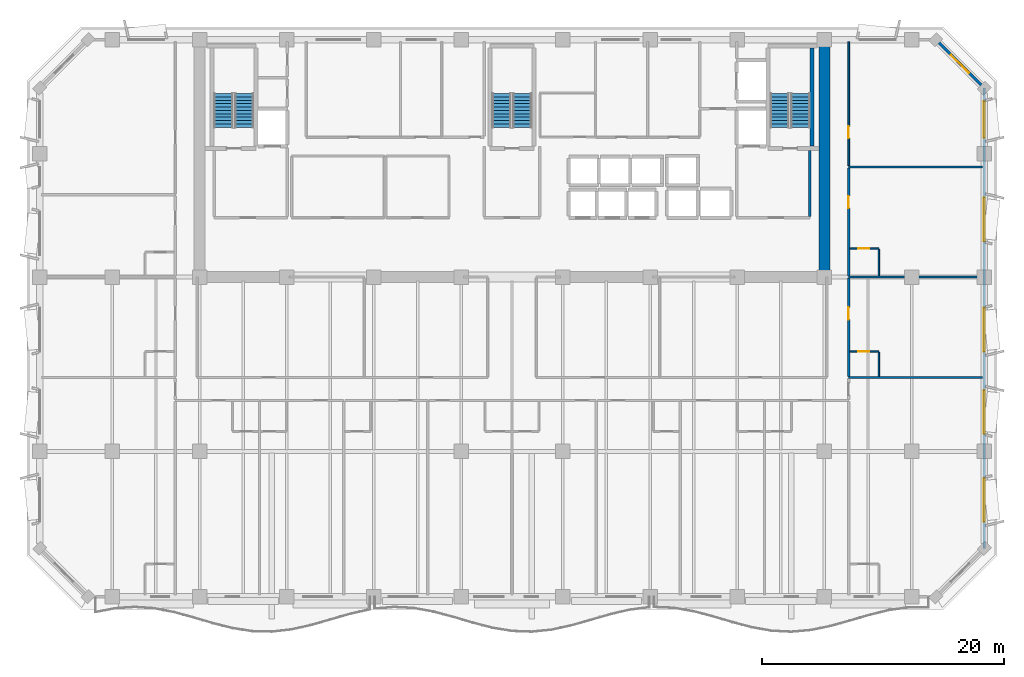
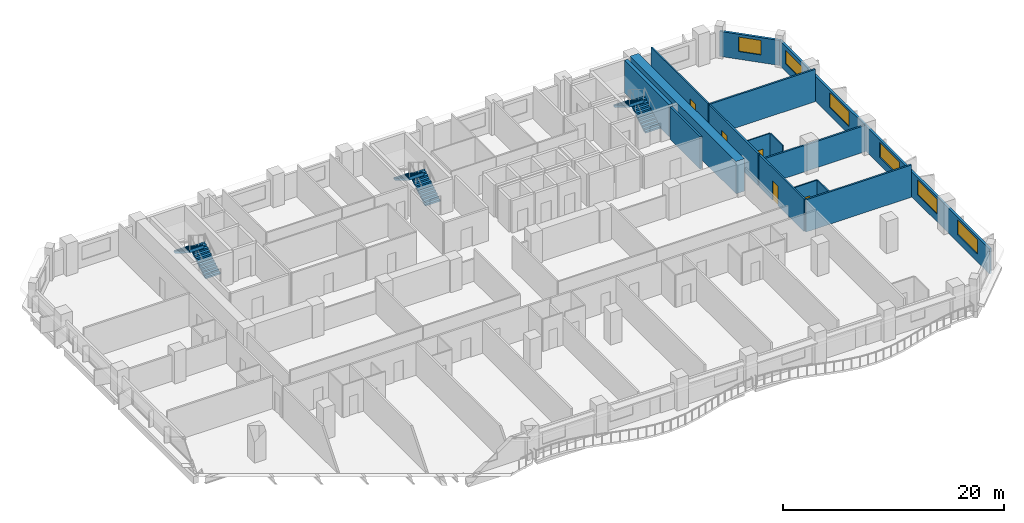
# One storey, part 9 of 14: 15 walls, 6 stair flights, 6 windows, 5 doors, 11 openings, 3 elements without a shape of their own.
"""IFC4 building model written with IfcOpenShell, lengths in metres."""

from ifc_helpers import new_model, si_unit, direction, frame, frame_2d, origin, place, context, subcontext, project, spatial, polyline, rectangle, outline, extrude, material, layer, layer_set, type_object, element, fill, aggregate, save


model = new_model("IFC4")

# Units and contexts
model_context = context("Model", 3, precision=1e-05, world=origin(), true_north=direction((0.0, 1.0)))
body_context = subcontext(model_context, "Body", "Model", "MODEL_VIEW")
ifc_project = project(units=[si_unit("LENGTHUNIT", "METRE"), si_unit("AREAUNIT", "SQUARE_METRE"), si_unit("VOLUMEUNIT", "CUBIC_METRE"), si_unit("PLANEANGLEUNIT", "RADIAN"), si_unit("MASSUNIT", "GRAM", prefix="KILO")], contexts=[model_context])

# Site, building, storey
site_placement = place(None, origin())
site = spatial("IfcSite", under=ifc_project, at=site_placement, CompositionType="ELEMENT")
building_placement = place(site_placement, origin())
building = spatial("IfcBuilding", under=site, at=building_placement, Name="Kaelvorn Grand Hotel", CompositionType="ELEMENT")
storey_placement = place(building_placement, frame((0.0, 0.0, 161.949951171875)))
storey = spatial("IfcBuildingStorey", under=building, at=storey_placement, Name="L39", CompositionType="ELEMENT", Elevation=161.949951171875)

# Wall
ifc_material_1 = material(Name="Concrete C60/75", Category="concrete")
ifc_layer_1 = layer(ifc_material_1, 0.89990234375)
ifc_layer_set_1 = layer_set([ifc_layer_1], Name="Concrete C60/75")
wall_type_1 = type_object("IfcWallType", Name="WL-CORE-900-C60", PredefinedType="SHEAR", material=ifc_layer_set_1)
wall_1_placement = place(storey_placement, frame((67.800048828125, 29.39990234375, 0.0), z_axis=(0.0, 0.0, 1.0), x_axis=(0.0, 1.0, 0.0)))
element("IfcWall", 1, at=wall_1_placement, inside=storey, type_object=wall_type_1, Name="L39 Rear-Core East Shear Wall", PredefinedType="SHEAR", context=body_context, shape_type="SweptSolid", body=[
    extrude(rectangle(XDim=19.2001953125, YDim=0.89990234375, at=frame_2d((9.60009765625, 0.0))), origin(), (0.0, 0.0, 1.0), 3.56005859375),
])

# Wall, openings, windows
ifc_material_2 = material(Name="Concrete C40/50", Category="concrete")
ifc_layer_2 = layer(ifc_material_2, 0.239990234375)
ifc_layer_set_2 = layer_set([ifc_layer_2], Name="Concrete C40/50")
wall_type_2 = type_object("IfcWallType", Name="WL-EXT-240-C40", PredefinedType="SOLIDWALL", material=ifc_layer_set_2)
wall_2_placement = place(storey_placement, frame((81.0, 7.0, 0.0), z_axis=(0.0, 0.0, 1.0), x_axis=(0.0, 1.0, 0.0)))
wall_2 = element("IfcWall", 2, at=wall_2_placement, inside=storey, type_object=wall_type_2, Name="L39 Exterior Architectural Concrete Wall 03", PredefinedType="SOLIDWALL", context=body_context, shape_type="SweptSolid", body=[
    extrude(rectangle(XDim=38.0, YDim=0.239990234375, at=frame_2d((19.0, 0.0))), origin(), (0.0, 0.0, 1.0), 2.760009765625),
])
opening_1_placement = place(wall_2_placement, frame((2.199951171875, 0.0, 0.85009765625)))
opening_1 = element("IfcOpeningElement", 3, at=opening_1_placement, cuts=wall_2, Name="Opening W3", PredefinedType="OPENING", context=body_context, shape_type="SweptSolid", body=[
    extrude(rectangle(XDim=3.60009765625, YDim=1.64990234375, at=frame_2d((1.800048828125, 0.824951171875))), frame((0.0, 0.1298828125, 0.0), z_axis=(0.0, -1.0, 0.0), x_axis=(1.0, 0.0, 0.0)), (0.0, 0.0, 1.0), 0.260009765625),
])
opening_2_placement = place(wall_2_placement, frame((9.449951171875, 0.0, 0.85009765625)))
opening_2 = element("IfcOpeningElement", 4, at=opening_2_placement, cuts=wall_2, Name="Opening W3", PredefinedType="OPENING", context=body_context, shape_type="SweptSolid", body=[
    extrude(rectangle(XDim=3.60009765625, YDim=1.64990234375, at=frame_2d((1.800048828125, 0.824951171875))), frame((0.0, 0.1298828125, 0.0), z_axis=(0.0, -1.0, 0.0), x_axis=(1.0, 0.0, 0.0)), (0.0, 0.0, 1.0), 0.260009765625),
])
opening_3_placement = place(wall_2_placement, frame((16.25, 0.0, 0.85009765625)))
opening_3 = element("IfcOpeningElement", 5, at=opening_3_placement, cuts=wall_2, Name="Opening W3", PredefinedType="OPENING", context=body_context, shape_type="SweptSolid", body=[
    extrude(rectangle(XDim=3.60009765625, YDim=1.64990234375, at=frame_2d((1.800048828125, 0.824951171875))), frame((0.0, 0.1298828125, 0.0), z_axis=(0.0, -1.0, 0.0), x_axis=(1.0, 0.0, 0.0)), (0.0, 0.0, 1.0), 0.260009765625),
])
opening_4_placement = place(wall_2_placement, frame((25.35009765625, 0.0, 0.85009765625)))
opening_4 = element("IfcOpeningElement", 6, at=opening_4_placement, cuts=wall_2, Name="Opening W3", PredefinedType="OPENING", context=body_context, shape_type="SweptSolid", body=[
    extrude(rectangle(XDim=3.60009765625, YDim=1.64990234375, at=frame_2d((1.800048828125, 0.824951171875))), frame((0.0, 0.1298828125, 0.0), z_axis=(0.0, -1.0, 0.0), x_axis=(1.0, 0.0, 0.0)), (0.0, 0.0, 1.0), 0.260009765625),
])
opening_5_placement = place(wall_2_placement, frame((33.9150390625, 0.0, 0.85009765625)))
opening_5 = element("IfcOpeningElement", 7, at=opening_5_placement, cuts=wall_2, Name="Opening W5", PredefinedType="OPENING", context=body_context, shape_type="SweptSolid", body=[
    extrude(rectangle(XDim=3.0, YDim=1.5, at=frame_2d((1.5, 0.75))), frame((0.0, 0.1298828125, 0.0), z_axis=(0.0, -1.0, 0.0), x_axis=(1.0, 0.0, 0.0)), (0.0, 0.0, 1.0), 0.260009765625),
])
ifc_material_3 = material(Name="Laminated Low-E Glass", Category="glass")
window_type_1 = type_object("IfcWindowType", Name="WIN-NTH-3000x1500", PartitioningType="SINGLE_PANEL", PredefinedType="WINDOW", material=ifc_material_3)
window_1_placement = place(opening_5_placement, origin())
window_1 = element("IfcWindow", 8, at=window_1_placement, inside=storey, type_object=window_type_1, Name="L39 E Wing Tilted-Frame Ribbon Window E05", OverallHeight=1.5, OverallWidth=3.0, PartitioningType="SINGLE_PANEL", PredefinedType="WINDOW", context=body_context, shape_type="SweptSolid", body=[
    extrude(rectangle(XDim=3.0, YDim=1.5, at=frame_2d((1.5, 0.75))), frame((0.0, 0.030029296875, 0.0), z_axis=(0.0, -1.0, 0.0), x_axis=(1.0, 0.0, 0.0)), (0.0, 0.0, 1.0), 0.06005859375),
])
fill(opening_5, window_1)
window_type_2 = type_object("IfcWindowType", Name="WIN-RIB-3600x1750", PartitioningType="SINGLE_PANEL", PredefinedType="WINDOW", material=ifc_material_3)
window_2_placement = place(opening_1_placement, origin())
window_2 = element("IfcWindow", 9, at=window_2_placement, inside=storey, type_object=window_type_2, Name="L39 E Wing Tilted-Frame Ribbon Window E01", OverallHeight=1.64990234375, OverallWidth=3.60009765625, PartitioningType="SINGLE_PANEL", PredefinedType="WINDOW", context=body_context, shape_type="SweptSolid", body=[
    extrude(rectangle(XDim=3.60009765625, YDim=1.64990234375, at=frame_2d((1.800048828125, 0.824951171875))), frame((0.0, 0.030029296875, 0.0), z_axis=(0.0, -1.0, 0.0), x_axis=(1.0, 0.0, 0.0)), (0.0, 0.0, 1.0), 0.06005859375),
])
fill(opening_1, window_2)
window_3_placement = place(opening_2_placement, origin())
window_3 = element("IfcWindow", 10, at=window_3_placement, inside=storey, type_object=window_type_2, Name="L39 E Wing Tilted-Frame Ribbon Window E02", OverallHeight=1.64990234375, OverallWidth=3.60009765625, PartitioningType="SINGLE_PANEL", PredefinedType="WINDOW", context=body_context, shape_type="SweptSolid", body=[
    extrude(rectangle(XDim=3.60009765625, YDim=1.64990234375, at=frame_2d((1.800048828125, 0.824951171875))), frame((0.0, 0.030029296875, 0.0), z_axis=(0.0, -1.0, 0.0), x_axis=(1.0, 0.0, 0.0)), (0.0, 0.0, 1.0), 0.06005859375),
])
fill(opening_2, window_3)
window_4_placement = place(opening_3_placement, origin())
window_4 = element("IfcWindow", 11, at=window_4_placement, inside=storey, type_object=window_type_2, Name="L39 E Wing Tilted-Frame Ribbon Window E03", OverallHeight=1.64990234375, OverallWidth=3.60009765625, PartitioningType="SINGLE_PANEL", PredefinedType="WINDOW", context=body_context, shape_type="SweptSolid", body=[
    extrude(rectangle(XDim=3.60009765625, YDim=1.64990234375, at=frame_2d((1.800048828125, 0.824951171875))), frame((0.0, 0.030029296875, 0.0), z_axis=(0.0, -1.0, 0.0), x_axis=(1.0, 0.0, 0.0)), (0.0, 0.0, 1.0), 0.06005859375),
])
fill(opening_3, window_4)
window_5_placement = place(opening_4_placement, origin())
window_5 = element("IfcWindow", 12, at=window_5_placement, inside=storey, type_object=window_type_2, Name="L39 E Wing Tilted-Frame Ribbon Window E04", OverallHeight=1.64990234375, OverallWidth=3.60009765625, PartitioningType="SINGLE_PANEL", PredefinedType="WINDOW", context=body_context, shape_type="SweptSolid", body=[
    extrude(rectangle(XDim=3.60009765625, YDim=1.64990234375, at=frame_2d((1.800048828125, 0.824951171875))), frame((0.0, 0.030029296875, 0.0), z_axis=(0.0, -1.0, 0.0), x_axis=(1.0, 0.0, 0.0)), (0.0, 0.0, 1.0), 0.06005859375),
])
fill(opening_4, window_5)

# Wall, opening, window
wall_3_placement = place(storey_placement, frame((81.0, 45.0, 0.0), z_axis=(0.0, 0.0, 1.0), x_axis=(-0.707106781187, 0.707106781187, 0.0)))
wall_3 = element("IfcWall", 13, at=wall_3_placement, inside=storey, type_object=wall_type_2, Name="L39 Exterior Architectural Concrete Wall 04", PredefinedType="SOLIDWALL", context=body_context, shape_type="SweptSolid", body=[
    extrude(rectangle(XDim=5.65673828125, YDim=0.239990234375, at=frame_2d((2.828369140625, 0.0))), origin(), (0.0, 0.0, 1.0), 2.760009765625),
])
opening_6_placement = place(wall_3_placement, frame((1.7783203125, 0.0, 0.85009765625)))
opening_6 = element("IfcOpeningElement", 14, at=opening_6_placement, cuts=wall_3, Name="Opening W7", PredefinedType="OPENING", context=body_context, shape_type="SweptSolid", body=[
    extrude(rectangle(XDim=2.10009765625, YDim=1.60009765625, at=frame_2d((1.050048828125, 0.800048828125))), frame((0.0, 0.1298828125, 0.0), z_axis=(0.0, -1.0, 0.0), x_axis=(1.0, 0.0, 0.0)), (0.0, 0.0, 1.0), 0.260009765625),
])
window_type_3 = type_object("IfcWindowType", Name="WIN-CHM-2100x1600", PartitioningType="SINGLE_PANEL", PredefinedType="WINDOW", material=ifc_material_3)
window_6_placement = place(opening_6_placement, origin())
window_6 = element("IfcWindow", 15, at=window_6_placement, inside=storey, type_object=window_type_3, Name="L39 Chamfered 45-Degree Corner Window NE", OverallHeight=1.60009765625, OverallWidth=2.10009765625, PartitioningType="SINGLE_PANEL", PredefinedType="WINDOW", context=body_context, shape_type="SweptSolid", body=[
    extrude(rectangle(XDim=2.10009765625, YDim=1.60009765625, at=frame_2d((1.050048828125, 0.800048828125))), frame((0.0, 0.030029296875, 0.0), z_axis=(0.0, -1.0, 0.0), x_axis=(1.0, 0.0, 0.0)), (0.0, 0.0, 1.0), 0.06005859375),
])
fill(opening_6, window_6)

# Wall, opening, door
ifc_material_4 = material(Name="Moisture-Resistant Tile & Stud Board")
ifc_layer_3 = layer(ifc_material_4, 0.125)
ifc_layer_set_3 = layer_set([ifc_layer_3], Name="Moisture-Resistant Tile & Stud Board")
wall_type_3 = type_object("IfcWallType", Name="WL-PART-125-WET", PredefinedType="PARTITIONING", material=ifc_layer_set_3)
wall_4_placement = place(storey_placement, frame((69.89501953125, 23.260009765625, 0.0), z_axis=(0.0, 0.0, 1.0), x_axis=(1.0, 0.0, 0.0)))
wall_4 = element("IfcWall", 16, at=wall_4_placement, inside=storey, type_object=wall_type_3, Name="L39 En-suite Bathroom L39-12 N Partition", PredefinedType="PARTITIONING", context=body_context, shape_type="SweptSolid", body=[
    extrude(rectangle(XDim=2.405029296875, YDim=0.125, at=frame_2d((1.20263671875, 0.0))), origin(), (0.0, 0.0, 1.0), 3.56005859375),
])
opening_7_placement = place(wall_4_placement, frame((0.705078125, 0.0, 0.0)))
opening_7 = element("IfcOpeningElement", 17, at=opening_7_placement, cuts=wall_4, Name="Opening DI4", PredefinedType="OPENING", context=body_context, shape_type="SweptSolid", body=[
    extrude(rectangle(XDim=0.89990234375, YDim=2.10009765625, at=frame_2d((0.449951171875, 1.050048828125))), frame((0.0, 0.072509765625, 0.0), z_axis=(0.0, -1.0, 0.0), x_axis=(1.0, 0.0, 0.0)), (0.0, 0.0, 1.0), 0.14501953125),
])
ifc_material_5 = material(Name="Timber Veneer Leaf", Category="wood")
door_type_1 = type_object("IfcDoorType", Name="DR-INT-BATH-900x2100", OperationType="NOTDEFINED", PredefinedType="DOOR", material=ifc_material_5)
door_1_placement = place(opening_7_placement, origin())
door_1 = element("IfcDoor", 18, at=door_1_placement, inside=storey, type_object=door_type_1, Name="L39 En-suite Bathroom L39-12 Door", OperationType="SINGLE_SWING_RIGHT", OverallHeight=2.10009765625, OverallWidth=0.89990234375, PredefinedType="DOOR", context=body_context, shape_type="SweptSolid", body=[
    extrude(rectangle(XDim=0.89990234375, YDim=2.10009765625, at=frame_2d((0.449951171875, 1.050048828125))), frame((0.0, 0.02490234375, 0.0), z_axis=(0.0, -1.0, 0.0), x_axis=(1.0, 0.0, 0.0)), (0.0, 0.0, 1.0), 0.050048828125),
])
fill(opening_7, door_1)

# Wall
wall_5_placement = place(storey_placement, frame((72.300048828125, 21.195068359375, 0.0), z_axis=(0.0, 0.0, 1.0), x_axis=(0.0, 1.0, 0.0)))
element("IfcWall", 19, at=wall_5_placement, inside=storey, type_object=wall_type_3, Name="L39 En-suite Bathroom L39-12 E Partition", PredefinedType="PARTITIONING", context=body_context, shape_type="SweptSolid", body=[
    extrude(rectangle(XDim=1.997314453125, YDim=0.125, at=frame_2d((0.99853515625, 0.0))), origin(), (0.0, 0.0, 1.0), 3.56005859375),
])

# Wall, opening, door
wall_6_placement = place(storey_placement, frame((69.89501953125, 31.77001953125, 0.0), z_axis=(0.0, 0.0, 1.0), x_axis=(1.0, 0.0, 0.0)))
wall_6 = element("IfcWall", 20, at=wall_6_placement, inside=storey, type_object=wall_type_3, Name="L39 En-suite Bathroom L39-14 N Partition", PredefinedType="PARTITIONING", context=body_context, shape_type="SweptSolid", body=[
    extrude(rectangle(XDim=2.405029296875, YDim=0.125, at=frame_2d((1.20263671875, 0.0))), origin(), (0.0, 0.0, 1.0), 3.56005859375),
])
opening_8_placement = place(wall_6_placement, frame((0.705078125, 0.0, 0.0)))
opening_8 = element("IfcOpeningElement", 21, at=opening_8_placement, cuts=wall_6, Name="Opening DI4", PredefinedType="OPENING", context=body_context, shape_type="SweptSolid", body=[
    extrude(rectangle(XDim=0.89990234375, YDim=2.10009765625, at=frame_2d((0.449951171875, 1.050048828125))), frame((0.0, 0.072509765625, 0.0), z_axis=(0.0, -1.0, 0.0), x_axis=(1.0, 0.0, 0.0)), (0.0, 0.0, 1.0), 0.14501953125),
])
door_2_placement = place(opening_8_placement, origin())
door_2 = element("IfcDoor", 22, at=door_2_placement, inside=storey, type_object=door_type_1, Name="L39 En-suite Bathroom L39-14 Door", OperationType="SINGLE_SWING_LEFT", OverallHeight=2.10009765625, OverallWidth=0.89990234375, PredefinedType="DOOR", context=body_context, shape_type="SweptSolid", body=[
    extrude(rectangle(XDim=0.89990234375, YDim=2.10009765625, at=frame_2d((0.449951171875, 1.050048828125))), frame((0.0, 0.02490234375, 0.0), z_axis=(0.0, -1.0, 0.0), x_axis=(1.0, 0.0, 0.0)), (0.0, 0.0, 1.0), 0.050048828125),
])
fill(opening_8, door_2)

# Wall
wall_7_placement = place(storey_placement, frame((72.300048828125, 29.4951171875, 0.0), z_axis=(0.0, 0.0, 1.0), x_axis=(0.0, 1.0, 0.0)))
element("IfcWall", 23, at=wall_7_placement, inside=storey, type_object=wall_type_3, Name="L39 En-suite Bathroom L39-14 E Partition", PredefinedType="PARTITIONING", context=body_context, shape_type="SweptSolid", body=[
    extrude(rectangle(XDim=2.207275390625, YDim=0.125, at=frame_2d((1.103515625, 0.0))), origin(), (0.0, 0.0, 1.0), 3.56005859375),
])

# Wall, opening, door
ifc_material_6 = material(Name="Acoustic Gypsum & Stud Partition")
ifc_layer_4 = layer(ifc_material_6, 0.14990234375)
ifc_layer_set_4 = layer_set([ifc_layer_4], Name="Acoustic Gypsum & Stud Partition")
wall_type_4 = type_object("IfcWallType", Name="WL-PART-150-EI60", PredefinedType="PARTITIONING", material=ifc_layer_set_4)
wall_8_placement = place(storey_placement, frame((69.800048828125, 38.594970703125, 0.0), z_axis=(0.0, 0.0, 1.0), x_axis=(0.0, 1.0, 0.0)))
wall_8 = element("IfcWall", 24, at=wall_8_placement, inside=storey, type_object=wall_type_4, Name="L39 North-East Diplomatic Living Room W Partition", PredefinedType="PARTITIONING", context=body_context, shape_type="SweptSolid", body=[
    extrude(rectangle(XDim=10.255126953125, YDim=0.14990234375, at=frame_2d((5.12744140625, 0.0))), origin(), (0.0, 0.0, 1.0), 3.56005859375),
])
opening_9_placement = place(wall_8_placement, frame((2.2548828125, 0.0, 0.0)))
opening_9 = element("IfcOpeningElement", 25, at=opening_9_placement, cuts=wall_8, Name="Opening DI3", PredefinedType="OPENING", context=body_context, shape_type="SweptSolid", body=[
    extrude(rectangle(XDim=1.0, YDim=2.14990234375, at=frame_2d((0.5, 1.074951171875))), frame((0.0, 0.0849609375, 0.0), z_axis=(0.0, -1.0, 0.0), x_axis=(1.0, 0.0, 0.0)), (0.0, 0.0, 1.0), 0.169921875),
])
ifc_material_7 = material(Name="Timber Veneer Fire Leaf", Category="wood")
door_type_2 = type_object("IfcDoorType", Name="DR-INT-GUEST-1000x2150", OperationType="NOTDEFINED", PredefinedType="DOOR", material=ifc_material_7)
door_3_placement = place(opening_9_placement, origin())
door_3 = element("IfcDoor", 26, at=door_3_placement, inside=storey, type_object=door_type_2, Name="L39 North-East Diplomatic Living Room Door", OperationType="SINGLE_SWING_RIGHT", OverallHeight=2.14990234375, OverallWidth=1.0, PredefinedType="DOOR", context=body_context, shape_type="SweptSolid", body=[
    extrude(rectangle(XDim=1.0, YDim=2.14990234375, at=frame_2d((0.5, 1.074951171875))), frame((0.0, 0.02490234375, 0.0), z_axis=(0.0, -1.0, 0.0), x_axis=(1.0, 0.0, 0.0)), (0.0, 0.0, 1.0), 0.050048828125),
])
fill(opening_9, door_3)

# Walls
ifc_layer_5 = layer(ifc_material_6, 0.179931640625)
ifc_layer_set_5 = layer_set([ifc_layer_5], Name="Acoustic Gypsum & Stud Partition")
wall_type_5 = type_object("IfcWallType", Name="WL-PART-180-EI60", PredefinedType="PARTITIONING", material=ifc_layer_set_5)
wall_9_placement = place(storey_placement, frame((69.800048828125, 21.10009765625, 0.0), z_axis=(0.0, 0.0, 1.0), x_axis=(1.0, 0.0, 0.0)))
element("IfcWall", 27, at=wall_9_placement, inside=storey, type_object=wall_type_5, Name="L39 South-East Chamfer Suite L39-11 N Partition", PredefinedType="PARTITIONING", context=body_context, shape_type="SweptSolid", body=[
    extrude(rectangle(XDim=11.050048828125, YDim=0.179931640625, at=frame_2d((5.52490234375, 0.0))), origin(), (0.0, 0.0, 1.0), 3.56005859375),
])
wall_10_placement = place(storey_placement, frame((69.800048828125, 29.39990234375, 0.0), z_axis=(0.0, 0.0, 1.0), x_axis=(1.0, 0.0, 0.0)))
element("IfcWall", 28, at=wall_10_placement, inside=storey, type_object=wall_type_5, Name="L39 East End Panoramic Suite L39-12 N Partition", PredefinedType="PARTITIONING", context=body_context, shape_type="SweptSolid", body=[
    extrude(rectangle(XDim=11.050048828125, YDim=0.179931640625, at=frame_2d((5.52490234375, 0.0))), origin(), (0.0, 0.0, 1.0), 2.91015625),
])

# Wall, opening, door
wall_11_placement = place(storey_placement, frame((69.800048828125, 21.195068359375, 0.0), z_axis=(0.0, 0.0, 1.0), x_axis=(0.0, 1.0, 0.0)))
wall_11 = element("IfcWall", 29, at=wall_11_placement, inside=storey, type_object=wall_type_5, Name="L39 East End Panoramic Suite L39-12 W Partition", PredefinedType="PARTITIONING", context=body_context, shape_type="SweptSolid", body=[
    extrude(rectangle(XDim=8.10986328125, YDim=0.179931640625, at=frame_2d((4.054931640625, 0.0))), origin(), (0.0, 0.0, 1.0), 3.56005859375),
])
opening_10_placement = place(wall_11_placement, frame((4.695068359375, 0.0, 0.0)))
opening_10 = element("IfcOpeningElement", 30, at=opening_10_placement, cuts=wall_11, Name="Opening DI3", PredefinedType="OPENING", context=body_context, shape_type="SweptSolid", body=[
    extrude(rectangle(XDim=1.0, YDim=2.14990234375, at=frame_2d((0.5, 1.074951171875))), frame((0.0, 0.10009765625, 0.0), z_axis=(0.0, -1.0, 0.0), x_axis=(1.0, 0.0, 0.0)), (0.0, 0.0, 1.0), 0.199951171875),
])
door_4_placement = place(opening_10_placement, origin())
door_4 = element("IfcDoor", 31, at=door_4_placement, inside=storey, type_object=door_type_2, Name="L39 East End Panoramic Suite L39-12 Door", OperationType="SINGLE_SWING_LEFT", OverallHeight=2.14990234375, OverallWidth=1.0, PredefinedType="DOOR", context=body_context, shape_type="SweptSolid", body=[
    extrude(rectangle(XDim=1.0, YDim=2.14990234375, at=frame_2d((0.5, 1.074951171875))), frame((0.0, 0.02490234375, 0.0), z_axis=(0.0, -1.0, 0.0), x_axis=(1.0, 0.0, 0.0)), (0.0, 0.0, 1.0), 0.050048828125),
])
fill(opening_10, door_4)

# Wall
wall_12_placement = place(storey_placement, frame((69.800048828125, 38.5, 0.0), z_axis=(0.0, 0.0, 1.0), x_axis=(1.0, 0.0, 0.0)))
element("IfcWall", 32, at=wall_12_placement, inside=storey, type_object=wall_type_5, Name="L39 North-East Wing Suite L39-14 N Partition", PredefinedType="PARTITIONING", context=body_context, shape_type="SweptSolid", body=[
    extrude(rectangle(XDim=11.050048828125, YDim=0.179931640625, at=frame_2d((5.52490234375, 0.0))), origin(), (0.0, 0.0, 1.0), 3.56005859375),
])

# Wall, opening, door
wall_13_placement = place(storey_placement, frame((69.800048828125, 29.4951171875, 0.0), z_axis=(0.0, 0.0, 1.0), x_axis=(0.0, 1.0, 0.0)))
wall_13 = element("IfcWall", 33, at=wall_13_placement, inside=storey, type_object=wall_type_5, Name="L39 North-East Wing Suite L39-14 W Partition", PredefinedType="PARTITIONING", context=body_context, shape_type="SweptSolid", body=[
    extrude(rectangle(XDim=8.909912109375, YDim=0.179931640625, at=frame_2d((4.455078125, 0.0))), origin(), (0.0, 0.0, 1.0), 3.56005859375),
])
opening_11_placement = place(wall_13_placement, frame((5.590087890625, 0.0, 0.0)))
opening_11 = element("IfcOpeningElement", 34, at=opening_11_placement, cuts=wall_13, Name="Opening DI3", PredefinedType="OPENING", context=body_context, shape_type="SweptSolid", body=[
    extrude(rectangle(XDim=1.0, YDim=2.14990234375, at=frame_2d((0.5, 1.074951171875))), frame((0.0, 0.10009765625, 0.0), z_axis=(0.0, -1.0, 0.0), x_axis=(1.0, 0.0, 0.0)), (0.0, 0.0, 1.0), 0.199951171875),
])
door_5_placement = place(opening_11_placement, origin())
door_5 = element("IfcDoor", 35, at=door_5_placement, inside=storey, type_object=door_type_2, Name="L39 North-East Wing Suite L39-14 Door", OperationType="SINGLE_SWING_RIGHT", OverallHeight=2.14990234375, OverallWidth=1.0, PredefinedType="DOOR", context=body_context, shape_type="SweptSolid", body=[
    extrude(rectangle(XDim=1.0, YDim=2.14990234375, at=frame_2d((0.5, 1.074951171875))), frame((0.0, 0.02490234375, 0.0), z_axis=(0.0, -1.0, 0.0), x_axis=(1.0, 0.0, 0.0)), (0.0, 0.0, 1.0), 0.050048828125),
])
fill(opening_11, door_5)

# Walls
ifc_layer_6 = layer(ifc_material_2, 0.219970703125)
ifc_layer_set_6 = layer_set([ifc_layer_6], Name="Concrete C40/50")
wall_type_6 = type_object("IfcWallType", Name="WL-PART-220-EI120", PredefinedType="PARTITIONING", material=ifc_layer_set_6)
wall_14_placement = place(storey_placement, frame((66.60009765625, 34.4150390625, 0.0), z_axis=(0.0, 0.0, 1.0), x_axis=(0.0, 1.0, 0.0)))
element("IfcWall", 36, at=wall_14_placement, inside=storey, type_object=wall_type_6, Name="L39 Firefighting Lift Lobby 2 E Partition", PredefinedType="PARTITIONING", context=body_context, shape_type="SweptSolid", body=[
    extrude(rectangle(XDim=5.429931640625, YDim=0.219970703125, at=frame_2d((2.71484375, 0.0))), origin(), (0.0, 0.0, 1.0), 3.56005859375),
])
ifc_layer_7 = layer(ifc_material_1, 0.35009765625)
ifc_layer_set_7 = layer_set([ifc_layer_7], Name="Concrete C60/75")
wall_type_7 = type_object("IfcWallType", Name="WL-SHAFT-350-C60", PredefinedType="SHEAR", material=ifc_layer_set_7)
wall_15_placement = place(storey_placement, frame((66.77490234375, 40.205078125, 0.0), z_axis=(0.0, 0.0, 1.0), x_axis=(0.0, 1.0, 0.0)))
element("IfcWall", 37, at=wall_15_placement, inside=storey, type_object=wall_type_7, Name="L39 ST3 Stair Shaft East Wall", PredefinedType="SHEAR", context=body_context, shape_type="SweptSolid", body=[
    extrude(rectangle(XDim=8.08984375, YDim=0.35009765625, at=frame_2d((4.044921875, 0.0))), origin(), (0.0, 0.0, 1.0), 3.56005859375),
])

# Stair, stair flights
stair_type = type_object("IfcStairType", Name="STR-DOG-1560-R08", PredefinedType="HALF_TURN_STAIR", material=ifc_material_2)
stair_1_placement = place(storey_placement, origin())
stair_1 = element("IfcStair", 38, at=stair_1_placement, inside=storey, type_object=stair_type, Name="L39 West Core Exit Stair ST1", PredefinedType="HALF_TURN_STAIR")
stair_flight_type = type_object("IfcStairFlightType", Name="FLG-DOG-1560-R08", PredefinedType="STRAIGHT", material=ifc_material_2)
stair_flight_1_placement = place(storey_placement, frame((19.89990234375, 41.760009765625, 0.0), z_axis=(0.0, 0.0, 1.0), x_axis=(0.0, 1.0, 0.0)))
stair_flight_1 = element("IfcStairFlight", 39, at=stair_flight_1_placement, type_object=stair_flight_type, Name="ST1 flight 1", NumberOfRisers=11, NumberOfTreads=10, PredefinedType="STRAIGHT", RiserHeight=0.172727273, TreadLength=0.28, context=body_context, shape_type="SweptSolid", body=[
    extrude(outline(polyline([(-0.0048828125, 0.0), (-0.0048828125, 0.0400390625), (0.0, 0.172607421875), (0.280029296875, 0.172607421875), (0.280029296875, 0.345458984375), (0.56005859375, 0.345458984375), (0.56005859375, 0.51806640625), (0.840087890625, 0.51806640625), (0.840087890625, 0.69091796875), (1.1201171875, 0.69091796875), (1.1201171875, 0.863525390625), (1.39990234375, 0.863525390625), (1.39990234375, 1.036376953125), (1.679931640625, 1.036376953125), (1.679931640625, 1.208984375), (1.9599609375, 1.208984375), (1.9599609375, 1.3818359375), (2.239990234375, 1.3818359375), (2.239990234375, 1.554443359375), (2.52001953125, 1.554443359375), (2.52001953125, 1.727294921875), (2.800048828125, 1.727294921875), (2.800048828125, 1.89990234375), (2.804931640625, 1.89990234375), (2.804931640625, 1.551025390625), (0.285400390625, 0.0), (-0.0048828125, 0.0)])), frame((0.0, 0.780029296875, 0.0), z_axis=(0.0, -1.0, 0.0), x_axis=(1.0, 0.0, 0.0)), (0.0, 0.0, 1.0), 1.56005859375),
])
stair_flight_2_placement = place(storey_placement, frame((18.179931640625, 44.56005859375, 1.900146484375), z_axis=(0.0, 0.0, 1.0), x_axis=(0.0, -1.0, 0.0)))
stair_flight_2 = element("IfcStairFlight", 40, at=stair_flight_2_placement, type_object=stair_flight_type, Name="ST1 flight 2", NumberOfRisers=11, NumberOfTreads=10, PredefinedType="STRAIGHT", RiserHeight=0.172727273, TreadLength=0.28, context=body_context, shape_type="SweptSolid", body=[
    extrude(outline(polyline([(-0.0048828125, 0.0), (-0.0048828125, 0.0400390625), (0.0, 0.172607421875), (0.280029296875, 0.172607421875), (0.280029296875, 0.345458984375), (0.56005859375, 0.345458984375), (0.56005859375, 0.51806640625), (0.840087890625, 0.51806640625), (0.840087890625, 0.69091796875), (1.1201171875, 0.69091796875), (1.1201171875, 0.863525390625), (1.39990234375, 0.863525390625), (1.39990234375, 1.036376953125), (1.679931640625, 1.036376953125), (1.679931640625, 1.208984375), (1.9599609375, 1.208984375), (1.9599609375, 1.3818359375), (2.239990234375, 1.3818359375), (2.239990234375, 1.554443359375), (2.52001953125, 1.554443359375), (2.52001953125, 1.727294921875), (2.800048828125, 1.727294921875), (2.800048828125, 1.89990234375), (2.804931640625, 1.89990234375), (2.804931640625, 1.551025390625), (0.285400390625, 0.0), (-0.0048828125, 0.0)])), frame((0.0, 0.780029296875, 0.0), z_axis=(0.0, -1.0, 0.0), x_axis=(1.0, 0.0, 0.0)), (0.0, 0.0, 1.0), 1.56005859375),
])
aggregate(stair_1, [stair_flight_1, stair_flight_2])

stair_2_placement = place(storey_placement, origin())
stair_2 = element("IfcStair", 41, at=stair_2_placement, inside=storey, type_object=stair_type, Name="L39 Central Core Exit Stair ST2", PredefinedType="HALF_TURN_STAIR")
stair_flight_3_placement = place(storey_placement, frame((42.860107421875, 41.760009765625, 0.0), z_axis=(0.0, 0.0, 1.0), x_axis=(0.0, 1.0, 0.0)))
stair_flight_3 = element("IfcStairFlight", 42, at=stair_flight_3_placement, type_object=stair_flight_type, Name="ST2 flight 1", NumberOfRisers=11, NumberOfTreads=10, PredefinedType="STRAIGHT", RiserHeight=0.172727273, TreadLength=0.28, context=body_context, shape_type="SweptSolid", body=[
    extrude(outline(polyline([(-0.0048828125, 0.0), (-0.0048828125, 0.0400390625), (0.0, 0.172607421875), (0.280029296875, 0.172607421875), (0.280029296875, 0.345458984375), (0.56005859375, 0.345458984375), (0.56005859375, 0.51806640625), (0.840087890625, 0.51806640625), (0.840087890625, 0.69091796875), (1.1201171875, 0.69091796875), (1.1201171875, 0.863525390625), (1.39990234375, 0.863525390625), (1.39990234375, 1.036376953125), (1.679931640625, 1.036376953125), (1.679931640625, 1.208984375), (1.9599609375, 1.208984375), (1.9599609375, 1.3818359375), (2.239990234375, 1.3818359375), (2.239990234375, 1.554443359375), (2.52001953125, 1.554443359375), (2.52001953125, 1.727294921875), (2.800048828125, 1.727294921875), (2.800048828125, 1.89990234375), (2.804931640625, 1.89990234375), (2.804931640625, 1.551025390625), (0.285400390625, 0.0), (-0.0048828125, 0.0)])), frame((0.0, 0.780029296875, 0.0), z_axis=(0.0, -1.0, 0.0), x_axis=(1.0, 0.0, 0.0)), (0.0, 0.0, 1.0), 1.56005859375),
])
stair_flight_4_placement = place(storey_placement, frame((41.139892578125, 44.56005859375, 1.900146484375), z_axis=(0.0, 0.0, 1.0), x_axis=(0.0, -1.0, 0.0)))
stair_flight_4 = element("IfcStairFlight", 43, at=stair_flight_4_placement, type_object=stair_flight_type, Name="ST2 flight 2", NumberOfRisers=11, NumberOfTreads=10, PredefinedType="STRAIGHT", RiserHeight=0.172727273, TreadLength=0.28, context=body_context, shape_type="SweptSolid", body=[
    extrude(outline(polyline([(-0.0048828125, 0.0), (-0.0048828125, 0.0400390625), (0.0, 0.172607421875), (0.280029296875, 0.172607421875), (0.280029296875, 0.345458984375), (0.56005859375, 0.345458984375), (0.56005859375, 0.51806640625), (0.840087890625, 0.51806640625), (0.840087890625, 0.69091796875), (1.1201171875, 0.69091796875), (1.1201171875, 0.863525390625), (1.39990234375, 0.863525390625), (1.39990234375, 1.036376953125), (1.679931640625, 1.036376953125), (1.679931640625, 1.208984375), (1.9599609375, 1.208984375), (1.9599609375, 1.3818359375), (2.239990234375, 1.3818359375), (2.239990234375, 1.554443359375), (2.52001953125, 1.554443359375), (2.52001953125, 1.727294921875), (2.800048828125, 1.727294921875), (2.800048828125, 1.89990234375), (2.804931640625, 1.89990234375), (2.804931640625, 1.551025390625), (0.285400390625, 0.0), (-0.0048828125, 0.0)])), frame((0.0, 0.780029296875, 0.0), z_axis=(0.0, -1.0, 0.0), x_axis=(1.0, 0.0, 0.0)), (0.0, 0.0, 1.0), 1.56005859375),
])
aggregate(stair_2, [stair_flight_3, stair_flight_4])

stair_3_placement = place(storey_placement, origin())
stair_3 = element("IfcStair", 44, at=stair_3_placement, inside=storey, type_object=stair_type, Name="L39 East Core Exit Stair ST3", PredefinedType="HALF_TURN_STAIR")
stair_flight_5_placement = place(storey_placement, frame((65.820068359375, 41.760009765625, 0.0), z_axis=(0.0, 0.0, 1.0), x_axis=(0.0, 1.0, 0.0)))
stair_flight_5 = element("IfcStairFlight", 45, at=stair_flight_5_placement, type_object=stair_flight_type, Name="ST3 flight 1", NumberOfRisers=11, NumberOfTreads=10, PredefinedType="STRAIGHT", RiserHeight=0.172727273, TreadLength=0.28, context=body_context, shape_type="SweptSolid", body=[
    extrude(outline(polyline([(-0.0048828125, 0.0), (-0.0048828125, 0.0400390625), (0.0, 0.172607421875), (0.280029296875, 0.172607421875), (0.280029296875, 0.345458984375), (0.56005859375, 0.345458984375), (0.56005859375, 0.51806640625), (0.840087890625, 0.51806640625), (0.840087890625, 0.69091796875), (1.1201171875, 0.69091796875), (1.1201171875, 0.863525390625), (1.39990234375, 0.863525390625), (1.39990234375, 1.036376953125), (1.679931640625, 1.036376953125), (1.679931640625, 1.208984375), (1.9599609375, 1.208984375), (1.9599609375, 1.3818359375), (2.239990234375, 1.3818359375), (2.239990234375, 1.554443359375), (2.52001953125, 1.554443359375), (2.52001953125, 1.727294921875), (2.800048828125, 1.727294921875), (2.800048828125, 1.89990234375), (2.804931640625, 1.89990234375), (2.804931640625, 1.551025390625), (0.285400390625, 0.0), (-0.0048828125, 0.0)])), frame((0.0, 0.780029296875, 0.0), z_axis=(0.0, -1.0, 0.0), x_axis=(1.0, 0.0, 0.0)), (0.0, 0.0, 1.0), 1.56005859375),
])
stair_flight_6_placement = place(storey_placement, frame((64.10009765625, 44.56005859375, 1.900146484375), z_axis=(0.0, 0.0, 1.0), x_axis=(0.0, -1.0, 0.0)))
stair_flight_6 = element("IfcStairFlight", 46, at=stair_flight_6_placement, type_object=stair_flight_type, Name="ST3 flight 2", NumberOfRisers=11, NumberOfTreads=10, PredefinedType="STRAIGHT", RiserHeight=0.172727273, TreadLength=0.28, context=body_context, shape_type="SweptSolid", body=[
    extrude(outline(polyline([(-0.0048828125, 0.0), (-0.0048828125, 0.0400390625), (0.0, 0.172607421875), (0.280029296875, 0.172607421875), (0.280029296875, 0.345458984375), (0.56005859375, 0.345458984375), (0.56005859375, 0.51806640625), (0.840087890625, 0.51806640625), (0.840087890625, 0.69091796875), (1.1201171875, 0.69091796875), (1.1201171875, 0.863525390625), (1.39990234375, 0.863525390625), (1.39990234375, 1.036376953125), (1.679931640625, 1.036376953125), (1.679931640625, 1.208984375), (1.9599609375, 1.208984375), (1.9599609375, 1.3818359375), (2.239990234375, 1.3818359375), (2.239990234375, 1.554443359375), (2.52001953125, 1.554443359375), (2.52001953125, 1.727294921875), (2.800048828125, 1.727294921875), (2.800048828125, 1.89990234375), (2.804931640625, 1.89990234375), (2.804931640625, 1.551025390625), (0.285400390625, 0.0), (-0.0048828125, 0.0)])), frame((0.0, 0.780029296875, 0.0), z_axis=(0.0, -1.0, 0.0), x_axis=(1.0, 0.0, 0.0)), (0.0, 0.0, 1.0), 1.56005859375),
])
aggregate(stair_3, [stair_flight_5, stair_flight_6])

save(model, "model.ifc")
